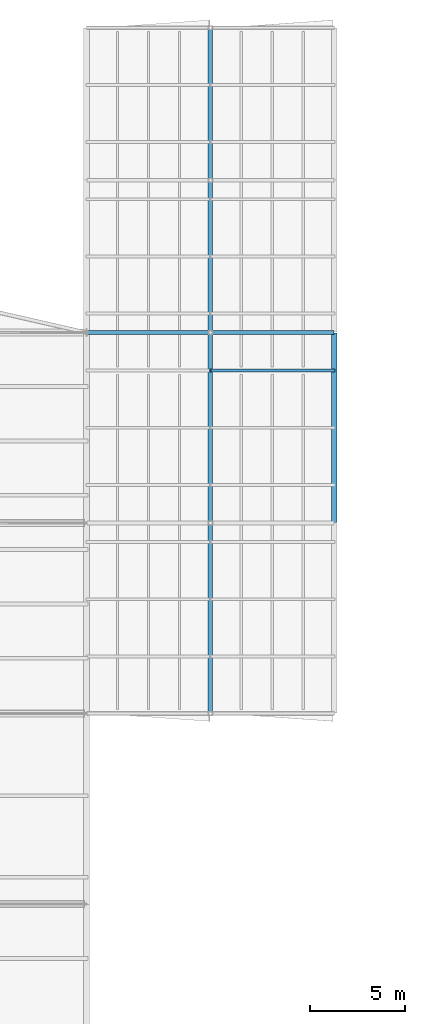
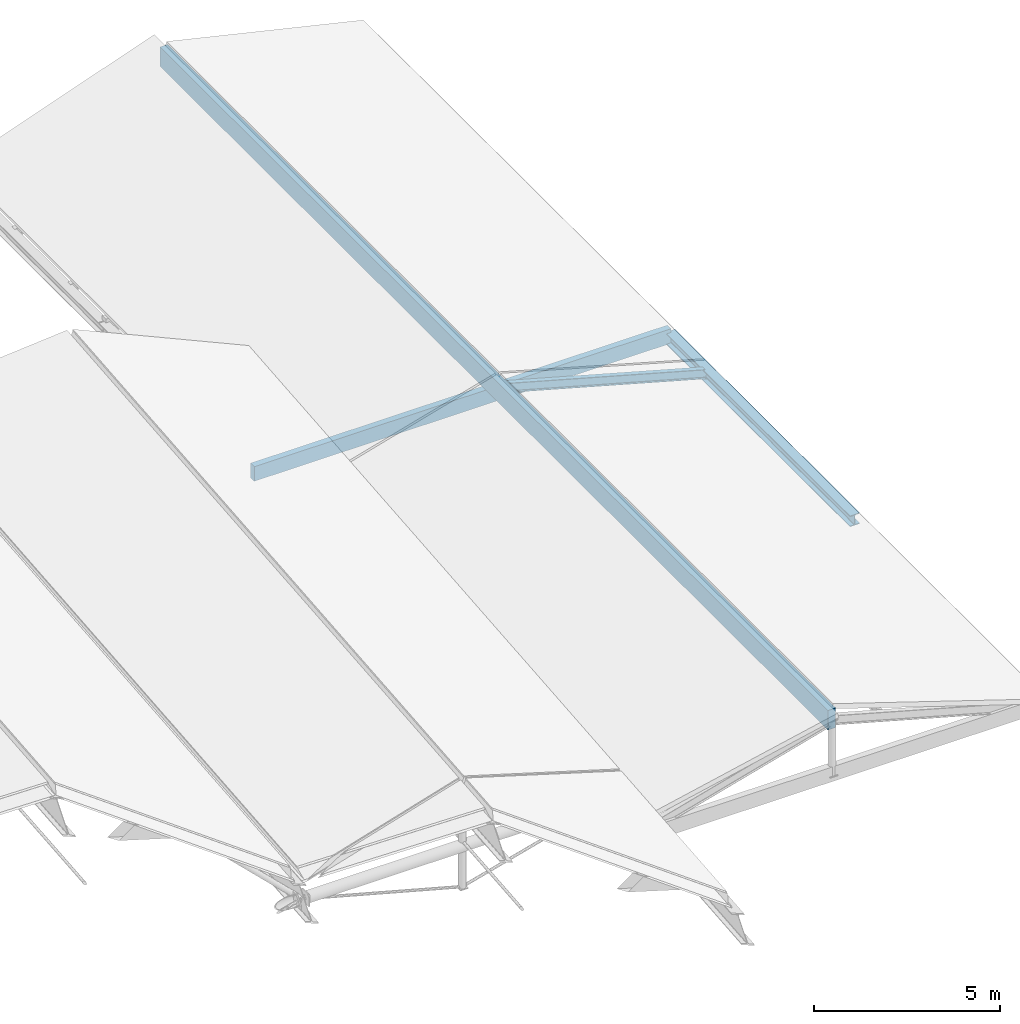
# One storey, part 72 of 90: 3 beams, 1 member.
"""IFC4 building model written with IfcOpenShell, lengths in metres."""

from ifc_helpers import new_model, si_unit, direction, frame, origin, origin_2d, place, context, subcontext, project, spatial, rectangle, i_section, extrude, material, material_profile, profile_set, type_object, element, save


model = new_model("IFC4")

# Units and contexts
model_context = context("Model", 3, precision=1e-05, world=origin(), true_north=direction((0.0, 1.0)))
body_context = subcontext(model_context, "Body", "Model", "MODEL_VIEW")
ifc_project = project(units=[si_unit("LENGTHUNIT", "METRE"), si_unit("AREAUNIT", "SQUARE_METRE"), si_unit("VOLUMEUNIT", "CUBIC_METRE"), si_unit("PLANEANGLEUNIT", "RADIAN"), si_unit("MASSUNIT", "GRAM", prefix="KILO"), si_unit("THERMODYNAMICTEMPERATUREUNIT", "KELVIN"), si_unit("POWERUNIT", "WATT")], contexts=[model_context])

# Site, building, storey
site_placement = place(None, origin())
site = spatial("IfcSite", under=ifc_project, at=site_placement, CompositionType="ELEMENT")
building_placement = place(site_placement, origin())
building = spatial("IfcBuilding", under=site, at=building_placement, Name="Korenveer Ferry Terminal", CompositionType="ELEMENT")
storey_placement = place(building_placement, frame((0.0, 0.0, 22.199951171875)))
storey = spatial("IfcBuildingStorey", under=building, at=storey_placement, Name="RF", CompositionType="ELEMENT", Elevation=22.199951171875)

# Beam
ifc_material_1 = material(Name="Steel S355", Category="steel")
ifc_material_profile_1 = material_profile(ifc_material_1, i_section(OverallWidth=0.300048828125, OverallDepth=0.360107421875, WebThickness=0.012451171875, FlangeThickness=0.0224609375, FilletRadius=0.027099609375, at=origin_2d()), Name="HEB 360")
ifc_profile_set_1 = profile_set([ifc_material_profile_1], Name="Steel S355")
beam_type_1 = type_object("IfcBeamType", Name="STR-BM-HEB360", PredefinedType="BEAM", material=ifc_profile_set_1)
beam_1_placement = place(storey_placement, frame((136.0, 90.02001953125, -7.619873046875), z_axis=(0.0, 1.0, 0.0), x_axis=(-1.0, 0.0, 0.0)))
element("IfcBeam", 1, at=beam_1_placement, inside=storey, type_object=beam_type_1, Name="Wing eave beam PIERE 210", PredefinedType="BEAM", context=body_context, shape_type="SweptSolid", body=[
    extrude(i_section(OverallWidth=0.300048828125, OverallDepth=0.360107421875, WebThickness=0.012451171875, FlangeThickness=0.0224609375, FilletRadius=0.027099609375, at=origin_2d()), origin(), (0.0, 0.0, 1.0), 9.9599609375),
])

# Member
ifc_material_profile_2 = material_profile(ifc_material_1, i_section(OverallWidth=0.14990234375, OverallDepth=0.300048828125, WebThickness=0.007080078125, FlangeThickness=0.0107421875, FilletRadius=0.014892578125, at=origin_2d()), Name="IPE 300")
ifc_profile_set_2 = profile_set([ifc_material_profile_2], Name="Steel S355")
member_type = type_object("IfcMemberType", Name="STR-RAF-IPE300", PredefinedType="RAFTER", material=ifc_profile_set_2)
member_placement = place(storey_placement, frame((129.5, 98.0, -5.820068359375), z_axis=(0.963737469599, 0.0, -0.26685218697), x_axis=(0.0, 1.0, 0.0)))
element("IfcMember", 2, at=member_placement, inside=storey, type_object=member_type, Name="Pitched roof rafter 168", PredefinedType="RAFTER", context=body_context, shape_type="SweptSolid", body=[
    extrude(i_section(OverallWidth=0.14990234375, OverallDepth=0.300048828125, WebThickness=0.007080078125, FlangeThickness=0.0107421875, FilletRadius=0.014892578125, at=origin_2d()), origin(), (0.0, 0.0, 1.0), 6.74462890625),
])

# Beams
ifc_material_2 = material(Name="Glulam GL28h", Category="wood")
ifc_material_profile_3 = material_profile(ifc_material_2, rectangle(XDim=0.199951171875, YDim=0.47998046875, at=origin_2d()), Name="GL 200x480")
ifc_profile_set_3 = profile_set([ifc_material_profile_3], Name="Glulam GL28h")
beam_type_2 = type_object("IfcBeamType", Name="STR-RFG-GL200", PredefinedType="USERDEFINED", material=ifc_profile_set_3)
beam_2_placement = place(storey_placement, frame((123.02001953125, 100.0, -7.56005859375), z_axis=(1.0, 0.0, 0.0), x_axis=(0.0, 1.0, 0.0)))
element("IfcBeam", 3, at=beam_2_placement, inside=storey, type_object=beam_type_2, Name="Wing roof collar tie PIERE 216", ObjectType="ROOF GIRDER", PredefinedType="USERDEFINED", context=body_context, shape_type="SweptSolid", body=[
    extrude(rectangle(XDim=0.199951171875, YDim=0.47998046875, at=origin_2d()), origin(), (0.0, 0.0, 1.0), 12.9599609375),
])
ifc_material_profile_4 = material_profile(ifc_material_2, rectangle(XDim=0.239990234375, YDim=0.639892578125, at=origin_2d()), Name="GL 240x640")
ifc_profile_set_4 = profile_set([ifc_material_profile_4], Name="Glulam GL28h")
beam_type_3 = type_object("IfcBeamType", Name="STR-RFG-GL240E", PredefinedType="USERDEFINED", material=ifc_profile_set_4)
beam_3_placement = place(storey_placement, frame((129.5, 80.0, -5.820068359375), z_axis=(0.0, 1.0, 0.0), x_axis=(-1.0, 0.0, 0.0)))
element("IfcBeam", 4, at=beam_3_placement, inside=storey, type_object=beam_type_3, Name="Wing roof glulam ridge beam PIERE", ObjectType="ROOF GIRDER", PredefinedType="USERDEFINED", context=body_context, shape_type="SweptSolid", body=[
    extrude(rectangle(XDim=0.239990234375, YDim=0.639892578125, at=origin_2d()), origin(), (0.0, 0.0, 1.0), 36.0),
])

save(model, "model.ifc")
